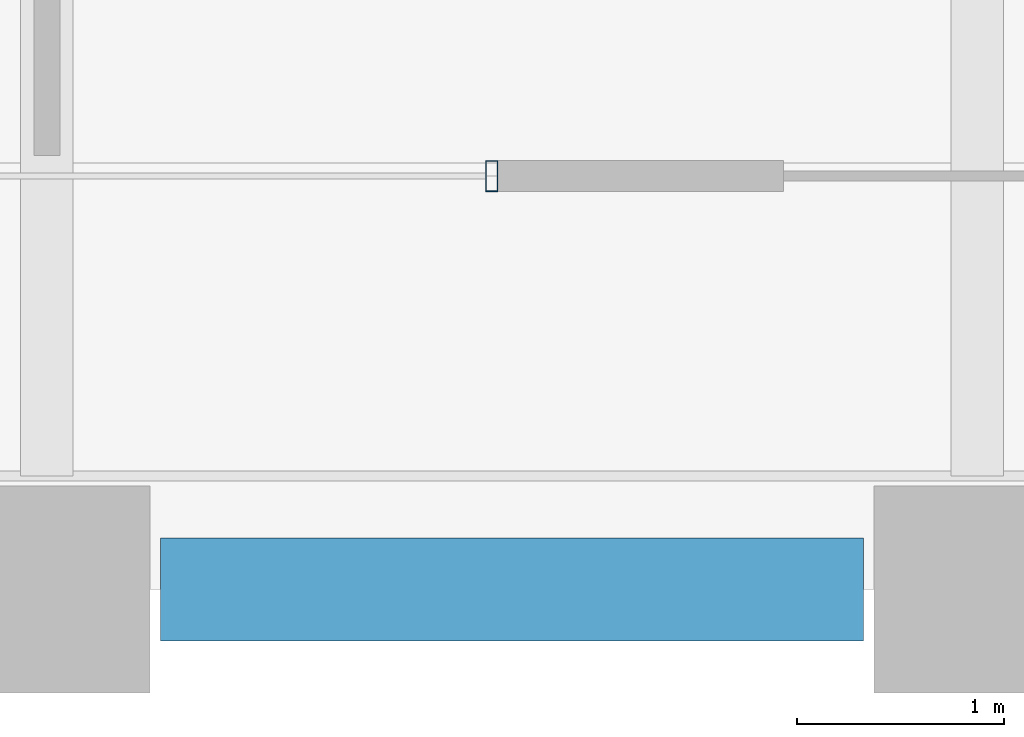
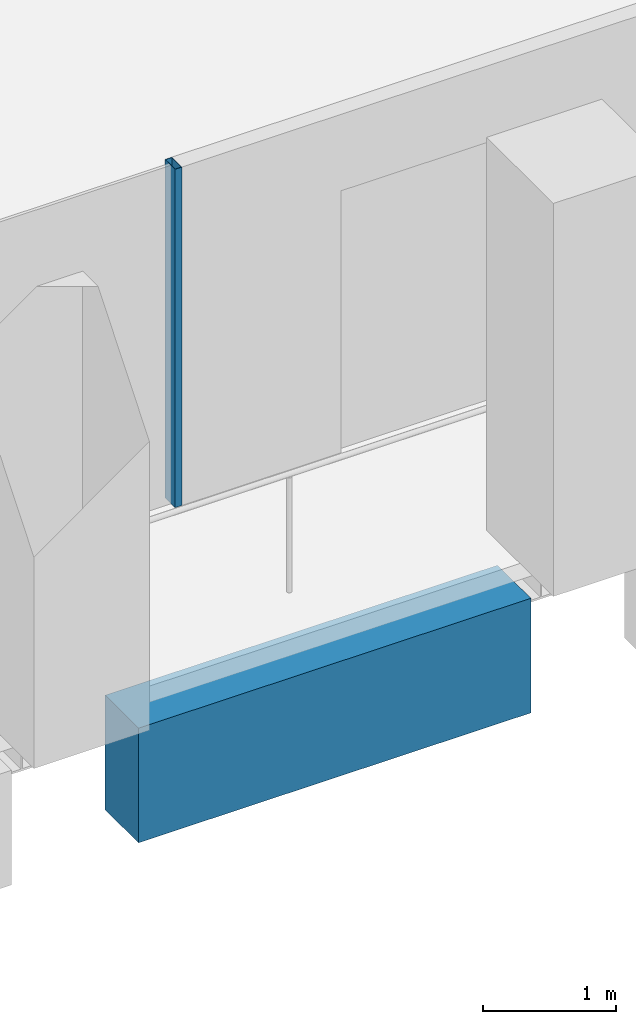
# One storey, part 7 of 52: 1 beam, 1 member, 1 element without a shape of its own.
"""IFC4 building model written with IfcOpenShell, lengths in metres."""

from ifc_helpers import new_model, si_unit, direction, frame, origin, origin_2d, place, context, subcontext, project, spatial, rectangle, hollow_rectangle, extrude, material, material_profile, profile_set, type_object, element, aggregate, save


model = new_model("IFC4")

# Units and contexts
model_context = context("Model", 3, precision=1e-05, world=origin(), true_north=direction((0.0, 1.0)))
body_context = subcontext(model_context, "Body", "Model", "MODEL_VIEW")
ifc_project = project(units=[si_unit("LENGTHUNIT", "METRE"), si_unit("AREAUNIT", "SQUARE_METRE"), si_unit("VOLUMEUNIT", "CUBIC_METRE"), si_unit("PLANEANGLEUNIT", "RADIAN"), si_unit("MASSUNIT", "GRAM", prefix="KILO")], contexts=[model_context])

# Site, building, storey
site_placement = place(None, origin())
site = spatial("IfcSite", under=ifc_project, at=site_placement, CompositionType="ELEMENT")
building_placement = place(site_placement, origin())
building = spatial("IfcBuilding", under=site, at=building_placement, Name="Altepetl Exchange Towers", CompositionType="ELEMENT")
storey_placement = place(building_placement, frame((0.0, 0.0, 92.0)))
storey = spatial("IfcBuildingStorey", under=building, at=storey_placement, Name="L22", CompositionType="ELEMENT", Elevation=92.0)

# Curtain wall, member
ifc_material_1 = material(Name="Aluminium 6063-T6 glazing", Category="aluminium")
curtain_wall_type = type_object("IfcCurtainWallType", Name="Loggia glazing system", PredefinedType="NOTDEFINED", material=ifc_material_1)
curtain_wall_placement = place(storey_placement, origin())
curtain_wall = element("IfcCurtainWall", 1, at=curtain_wall_placement, inside=storey, type_object=curtain_wall_type, Name="CW1 run", PredefinedType="NOTDEFINED")
ifc_material_2 = material(Name="Aluminium 6063-T6", Category="aluminium")
ifc_material_profile_1 = material_profile(ifc_material_2, hollow_rectangle(XDim=0.06005859375, YDim=0.14990234375, WallThickness=0.0029296875, at=origin_2d()), Name="Mullion 60x150 aluminium")
ifc_profile_set_1 = profile_set([ifc_material_profile_1], Name="Aluminium 6063-T6")
member_type = type_object("IfcMemberType", Name="Mullion 60x150 aluminium", PredefinedType="MULLION", material=ifc_profile_set_1)
member_placement = place(storey_placement, frame((47.152099609375, 29.0, 0.0)))
member = element("IfcMember", 2, at=member_placement, type_object=member_type, Name="MU1 mullion", PredefinedType="MULLION", context=body_context, shape_type="SweptSolid", body=[
    extrude(hollow_rectangle(XDim=0.06005859375, YDim=0.14990234375, WallThickness=0.0029296875, at=origin_2d()), origin(), (0.0, 0.0, 1.0), 3.10009765625),
])
aggregate(curtain_wall, [member])

# Beam
ifc_material_3 = material(Name="Concrete C50/60 precast with cantera blanca facing", Category="concrete")
ifc_material_profile_2 = material_profile(ifc_material_3, rectangle(XDim=0.5, YDim=1.050048828125, at=origin_2d()), Name="500 x 1050")
ifc_profile_set_2 = profile_set([ifc_material_profile_2], Name="Concrete C50/60 precast with cantera blanca facing")
beam_type = type_object("IfcBeamType", Name="Spandrel beam 500x1050 cantera blanca", PredefinedType="SPANDREL", material=ifc_profile_set_2)
beam_placement = place(storey_placement, frame((45.550048828125, 27.0, -0.675048828125), z_axis=(1.0, 0.0, 0.0), x_axis=(0.0, 1.0, 0.0)))
element("IfcBeam", 3, at=beam_placement, inside=storey, type_object=beam_type, Name="sp:A:L22:003", PredefinedType="SPANDREL", context=body_context, shape_type="SweptSolid", body=[
    extrude(rectangle(XDim=0.5, YDim=1.050048828125, at=origin_2d()), origin(), (0.0, 0.0, 1.0), 3.39990234375),
])

save(model, "model.ifc")
